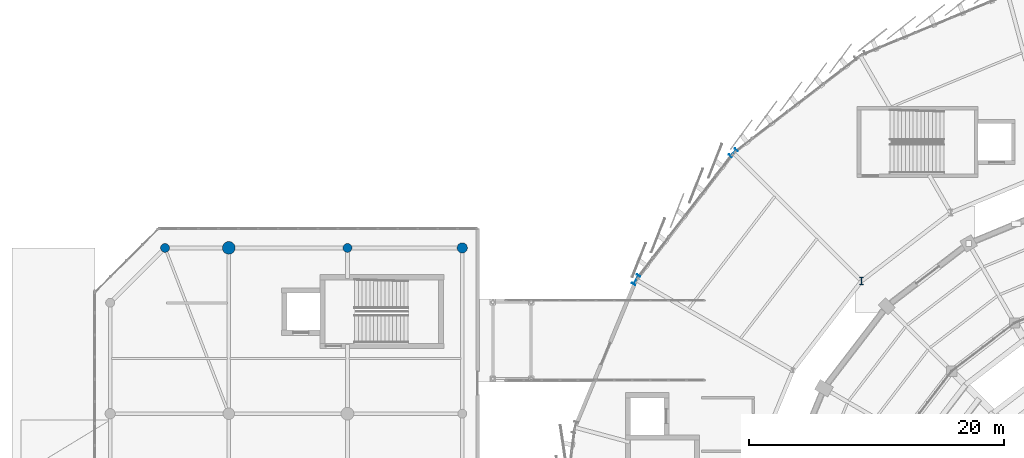
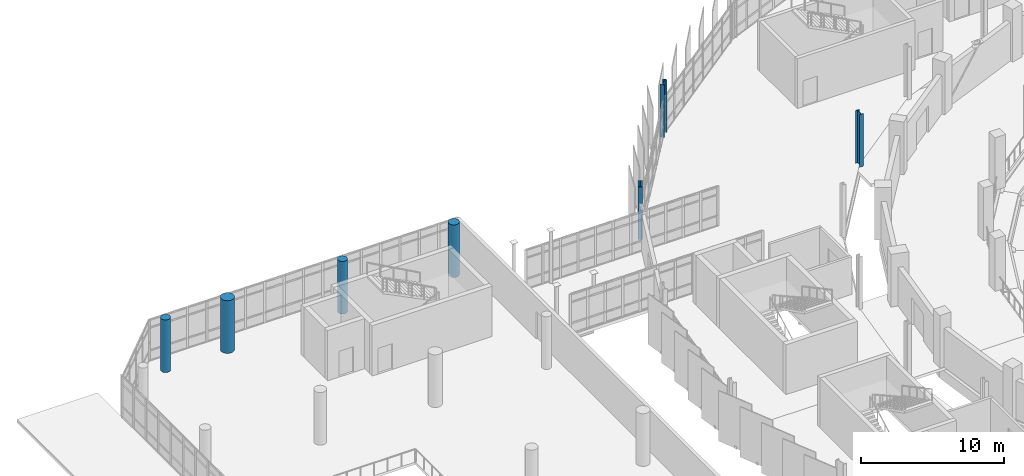
# One storey, part 13 of 134: 7 columns.
"""IFC4 building model written with IfcOpenShell, lengths in metres."""

from ifc_helpers import new_model, si_unit, direction, frame, origin, origin_2d, place, context, subcontext, project, spatial, circle, i_section, extrude, material, material_profile, profile_set, type_object, element, save


model = new_model("IFC4")

# Units and contexts
model_context = context("Model", 3, precision=1e-05, world=origin(), true_north=direction((0.0, 1.0)))
body_context = subcontext(model_context, "Body", "Model", "MODEL_VIEW")
ifc_project = project(units=[si_unit("LENGTHUNIT", "METRE"), si_unit("AREAUNIT", "SQUARE_METRE"), si_unit("VOLUMEUNIT", "CUBIC_METRE"), si_unit("PLANEANGLEUNIT", "RADIAN"), si_unit("MASSUNIT", "GRAM", prefix="KILO")], contexts=[model_context])

# Site, building, storey
site_placement = place(None, origin())
site = spatial("IfcSite", under=ifc_project, at=site_placement, CompositionType="ELEMENT")
building_placement = place(site_placement, origin())
building = spatial("IfcBuilding", under=site, at=building_placement, Name="Sohan Crest Arena", CompositionType="ELEMENT")
storey_placement = place(building_placement, frame((0.0, 0.0, 4.5)))
storey = spatial("IfcBuildingStorey", under=building, at=storey_placement, Name="L01", CompositionType="ELEMENT", Elevation=4.5)

# Columns
ifc_material_1 = material(Name="Concrete C40/50", Category="concrete")
ifc_material_profile_1 = material_profile(ifc_material_1, circle(Radius=0.35009765625, at=origin_2d()), Name="RC D700")
ifc_profile_set_1 = profile_set([ifc_material_profile_1], Name="Concrete C40/50")
column_type_1 = type_object("IfcColumnType", Name="STR-COL-C13", PredefinedType="COLUMN", material=ifc_profile_set_1)
for number, where, z_axis, x_axis, name in (
    (1, (33.800048828125, 104.5, 0.0), (0.0, 0.0, 1.0), (1.0, 0.0, 0.0), "Structural column COL-V3C-35-L01"),
    (2, (19.5, 104.5, 0.0), (0.0, 0.0, 1.0), (1.0, 0.0, 0.0), "Structural column COL-V3CH-4-L01"),
):
    element("IfcColumn", number, at=place(storey_placement, frame(where, z_axis=z_axis, x_axis=x_axis)), inside=storey, type_object=column_type_1, Name=name, PredefinedType="COLUMN", context=body_context, shape_type="SweptSolid", body=[
        extrude(circle(Radius=0.35009765625, at=origin_2d()), origin(), (0.0, 0.0, 1.0), 4.5),
    ])
ifc_material_profile_2 = material_profile(ifc_material_1, circle(Radius=0.39990234375, at=origin_2d()), Name="RC D800")
ifc_profile_set_2 = profile_set([ifc_material_profile_2], Name="Concrete C40/50")
column_type_2 = type_object("IfcColumnType", Name="STR-COL-C14", PredefinedType="COLUMN", material=ifc_profile_set_2)
column_1_placement = place(storey_placement, frame((42.800048828125, 104.5, 0.0), z_axis=(0.0, 0.0, 1.0), x_axis=(1.0, 0.0, 0.0)))
element("IfcColumn", 3, at=column_1_placement, inside=storey, type_object=column_type_2, Name="Structural column COL-V3C-45-L01", PredefinedType="COLUMN", context=body_context, shape_type="SweptSolid", body=[
    extrude(circle(Radius=0.39990234375, at=origin_2d()), origin(), (0.0, 0.0, 1.0), 4.5),
])
ifc_material_profile_3 = material_profile(ifc_material_1, circle(Radius=0.5, at=origin_2d()), Name="RC D1000")
ifc_profile_set_3 = profile_set([ifc_material_profile_3], Name="Concrete C40/50")
column_type_3 = type_object("IfcColumnType", Name="STR-COL-C16", PredefinedType="COLUMN", material=ifc_profile_set_3)
column_2_placement = place(storey_placement, frame((24.5, 104.5, 0.0), z_axis=(0.0, 0.0, 1.0), x_axis=(1.0, 0.0, 0.0)))
element("IfcColumn", 4, at=column_2_placement, inside=storey, type_object=column_type_3, Name="Structural column COL-V3C-25-L01", PredefinedType="COLUMN", context=body_context, shape_type="SweptSolid", body=[
    extrude(circle(Radius=0.5, at=origin_2d()), origin(), (0.0, 0.0, 1.0), 4.5),
])
ifc_material_2 = material(Name="Steel S355", Category="steel")
ifc_material_profile_4 = material_profile(ifc_material_2, i_section(OverallWidth=0.300048828125, OverallDepth=0.60009765625, WebThickness=0.015380859375, FlangeThickness=0.030029296875, at=origin_2d()), Name="HEB 600")
ifc_profile_set_4 = profile_set([ifc_material_profile_4], Name="Steel S355")
column_type_4 = type_object("IfcColumnType", Name="STR-COL-C20", PredefinedType="COLUMN", material=ifc_profile_set_4)
column_3_placement = place(storey_placement, frame((74.10009765625, 101.89990234375, 0.0), z_axis=(0.0, 0.0, 1.0), x_axis=(1.0, 0.0, 0.0)))
element("IfcColumn", 5, at=column_3_placement, inside=storey, type_object=column_type_4, Name="Structural column COL-V2I-04-L01", PredefinedType="COLUMN", context=body_context, shape_type="SweptSolid", body=[
    extrude(i_section(OverallWidth=0.300048828125, OverallDepth=0.60009765625, WebThickness=0.015380859375, FlangeThickness=0.030029296875, at=origin_2d()), origin(), (0.0, 0.0, 1.0), 4.5),
])
ifc_material_profile_5 = material_profile(ifc_material_2, i_section(OverallWidth=0.300048828125, OverallDepth=0.699951171875, WebThickness=0.01708984375, FlangeThickness=0.031982421875, at=origin_2d()), Name="HEB 700")
ifc_profile_set_5 = profile_set([ifc_material_profile_5], Name="Steel S355")
column_type_5 = type_object("IfcColumnType", Name="STR-COL-C21", PredefinedType="COLUMN", material=ifc_profile_set_5)
column_4_placement = place(storey_placement, frame((64.05908203125, 111.94091796875, 0.0), z_axis=(0.0, 0.0, 1.0), x_axis=(-0.707106781187, 0.707106781187, 0.0)))
element("IfcColumn", 6, at=column_4_placement, inside=storey, type_object=column_type_5, Name="Structural column COL-V2O-04-L01", PredefinedType="COLUMN", context=body_context, shape_type="SweptSolid", body=[
    extrude(i_section(OverallWidth=0.300048828125, OverallDepth=0.699951171875, WebThickness=0.01708984375, FlangeThickness=0.031982421875, at=origin_2d()), origin(), (0.0, 0.0, 1.0), 4.5),
])
ifc_material_profile_6 = material_profile(ifc_material_2, i_section(OverallWidth=0.300048828125, OverallDepth=0.800048828125, WebThickness=0.017578125, FlangeThickness=0.032958984375, at=origin_2d()), Name="HEB 800")
ifc_profile_set_6 = profile_set([ifc_material_profile_6], Name="Steel S355")
column_type_6 = type_object("IfcColumnType", Name="STR-COL-C22", PredefinedType="COLUMN", material=ifc_profile_set_6)
column_5_placement = place(storey_placement, frame((56.430908203125, 102.0, 0.0), z_axis=(0.0, 0.0, 1.0), x_axis=(-0.866025403784, 0.5, 0.0)))
element("IfcColumn", 7, at=column_5_placement, inside=storey, type_object=column_type_6, Name="Structural column COL-V2O-05-L01", PredefinedType="COLUMN", context=body_context, shape_type="SweptSolid", body=[
    extrude(i_section(OverallWidth=0.300048828125, OverallDepth=0.800048828125, WebThickness=0.017578125, FlangeThickness=0.032958984375, at=origin_2d()), origin(), (0.0, 0.0, 1.0), 4.5),
])

save(model, "model.ifc")
